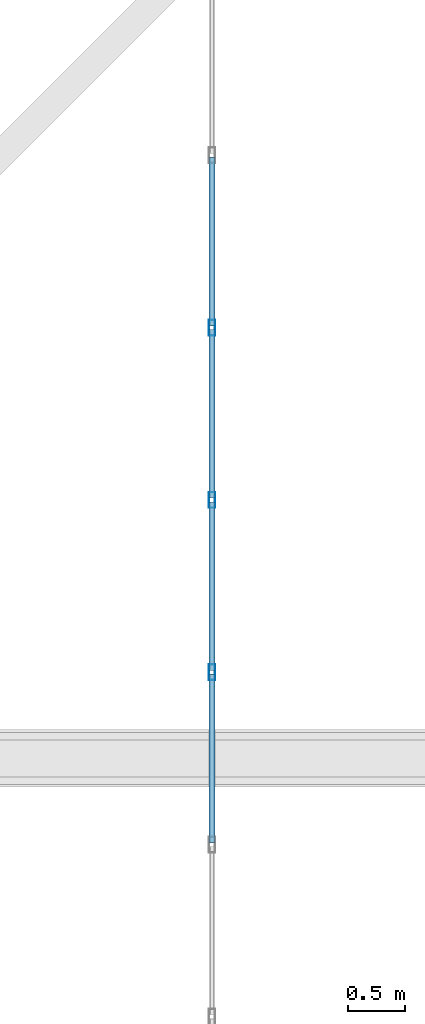
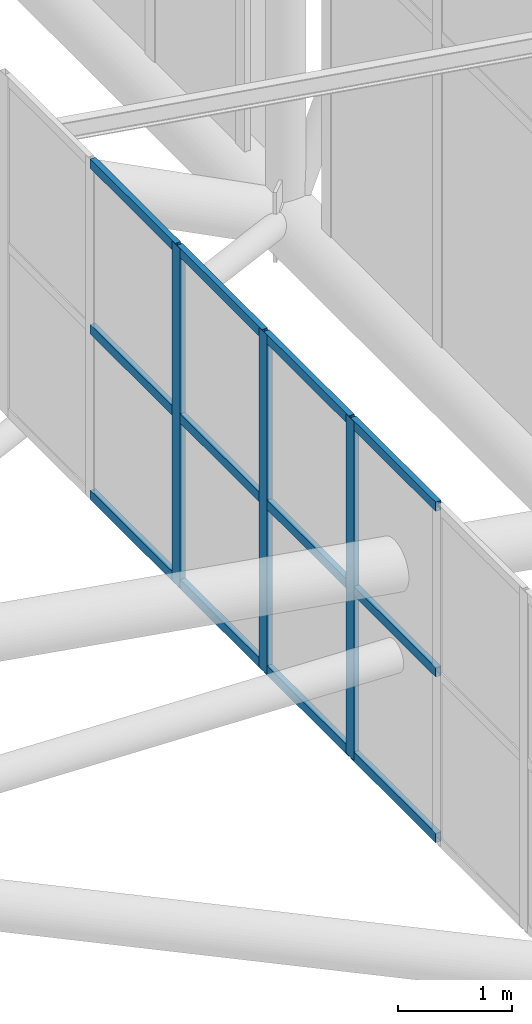
# One storey, part 150 of 397: 15 members, 1 element without a shape of its own.
"""IFC4 building model written with IfcOpenShell, lengths in metres."""

from ifc_helpers import new_model, si_unit, direction, frame, origin, origin_2d, place, context, subcontext, project, spatial, hollow_rectangle, extrude, material, material_profile, profile_set, type_object, element, aggregate, save


model = new_model("IFC4")

# Units and contexts
model_context = context("Model", 3, precision=1e-05, world=origin(), true_north=direction((0.0, 1.0)))
body_context = subcontext(model_context, "Body", "Model", "MODEL_VIEW")
ifc_project = project(units=[si_unit("LENGTHUNIT", "METRE"), si_unit("AREAUNIT", "SQUARE_METRE"), si_unit("VOLUMEUNIT", "CUBIC_METRE"), si_unit("PLANEANGLEUNIT", "RADIAN"), si_unit("MASSUNIT", "GRAM", prefix="KILO")], contexts=[model_context])

# Site, building, storey
site_placement = place(None, origin())
site = spatial("IfcSite", under=ifc_project, at=site_placement, CompositionType="ELEMENT")
building_placement = place(site_placement, origin())
building = spatial("IfcBuilding", under=site, at=building_placement, Name="Qandorah Velis Arena", CompositionType="ELEMENT")
storey_placement = place(building_placement, frame((0.0, 0.0, 27.5)))
storey = spatial("IfcBuildingStorey", under=building, at=storey_placement, Name="RF", CompositionType="ELEMENT", Elevation=27.5)

# Curtain wall, members
ifc_material_1 = material(Name="Solar-control low-E double glazing", Category="glass")
curtain_wall_type = type_object("IfcCurtainWallType", Name="ARC-CW-SYS14", PredefinedType="USERDEFINED", material=ifc_material_1)
curtain_wall_placement = place(storey_placement, origin())
curtain_wall = element("IfcCurtainWall", 1, at=curtain_wall_placement, inside=storey, type_object=curtain_wall_type, Name="Unitised curtain wall MON-2-2", ObjectType="UNITISED CURTAIN WALL", PredefinedType="USERDEFINED")
ifc_material_2 = material(Name="Champagne-bronze anodized aluminium 6063-T6", Category="aluminium")
ifc_material_profile_1 = material_profile(ifc_material_2, hollow_rectangle(XDim=0.054931640625, YDim=0.139892578125, WallThickness=0.0029296875, at=origin_2d()), Name="ALU MULLION 55x140")
ifc_profile_set_1 = profile_set([ifc_material_profile_1], Name="Champagne-bronze anodized aluminium 6063-T6")
member_type_1 = type_object("IfcMemberType", Name="ARC-CWM-140", PredefinedType="MULLION", material=ifc_profile_set_1)
member_1_placement = place(storey_placement, frame((108.0, 43.961181640625, 5.13427734375), z_axis=(0.0, 0.0, 1.0), x_axis=(-1.0, 0.0, 0.0)))
member_1 = element("IfcMember", 2, at=member_1_placement, type_object=member_type_1, Name="CW14 mullion 6", PredefinedType="MULLION", context=body_context, shape_type="SweptSolid", body=[
    extrude(hollow_rectangle(XDim=0.054931640625, YDim=0.139892578125, WallThickness=0.0029296875, at=origin_2d()), origin(), (0.0, 0.0, 1.0), 3.630126953125),
])
member_2_placement = place(storey_placement, frame((108.0, 45.4833984375, 5.13427734375), z_axis=(0.0, 0.0, 1.0), x_axis=(-1.0, 0.0, 0.0)))
member_2 = element("IfcMember", 3, at=member_2_placement, type_object=member_type_1, Name="CW14 mullion 7", PredefinedType="MULLION", context=body_context, shape_type="SweptSolid", body=[
    extrude(hollow_rectangle(XDim=0.054931640625, YDim=0.139892578125, WallThickness=0.0029296875, at=origin_2d()), origin(), (0.0, 0.0, 1.0), 3.630126953125),
])
member_3_placement = place(storey_placement, frame((108.0, 47.005615234375, 5.13427734375), z_axis=(0.0, 0.0, 1.0), x_axis=(-1.0, 0.0, 0.0)))
member_3 = element("IfcMember", 4, at=member_3_placement, type_object=member_type_1, Name="CW14 mullion 8", PredefinedType="MULLION", context=body_context, shape_type="SweptSolid", body=[
    extrude(hollow_rectangle(XDim=0.054931640625, YDim=0.139892578125, WallThickness=0.0029296875, at=origin_2d()), origin(), (0.0, 0.0, 1.0), 3.630126953125),
])
ifc_material_profile_2 = material_profile(ifc_material_2, hollow_rectangle(XDim=0.054931640625, YDim=0.10009765625, WallThickness=0.0029296875, at=origin_2d()), Name="ALU TRANSOM 55x100")
ifc_profile_set_2 = profile_set([ifc_material_profile_2], Name="Champagne-bronze anodized aluminium 6063-T6")
member_type_2 = type_object("IfcMemberType", Name="ARC-CWT-100", PredefinedType="USERDEFINED", material=ifc_profile_set_2)
member_4_placement = place(storey_placement, frame((108.0, 42.454345703125, 5.1767578125), z_axis=(0.0, 1.0, 0.0), x_axis=(-1.0, 0.0, 0.0)))
member_4 = element("IfcMember", 5, at=member_4_placement, type_object=member_type_2, Name="CW14 transom 5.1", ObjectType="TRANSOM", PredefinedType="USERDEFINED", context=body_context, shape_type="SweptSolid", body=[
    extrude(hollow_rectangle(XDim=0.054931640625, YDim=0.10009765625, WallThickness=0.0029296875, at=origin_2d()), origin(), (0.0, 0.0, 1.0), 1.4912109375),
])
member_5_placement = place(storey_placement, frame((108.0, 42.454345703125, 6.94921875), z_axis=(0.0, 1.0, 0.0), x_axis=(-1.0, 0.0, 0.0)))
member_5 = element("IfcMember", 6, at=member_5_placement, type_object=member_type_2, Name="CW14 transom 5.2", ObjectType="TRANSOM", PredefinedType="USERDEFINED", context=body_context, shape_type="SweptSolid", body=[
    extrude(hollow_rectangle(XDim=0.054931640625, YDim=0.10009765625, WallThickness=0.0029296875, at=origin_2d()), origin(), (0.0, 0.0, 1.0), 1.4912109375),
])
member_6_placement = place(storey_placement, frame((108.0, 42.454345703125, 8.7216796875), z_axis=(0.0, 1.0, 0.0), x_axis=(-1.0, 0.0, 0.0)))
member_6 = element("IfcMember", 7, at=member_6_placement, type_object=member_type_2, Name="CW14 transom 5.3", ObjectType="TRANSOM", PredefinedType="USERDEFINED", context=body_context, shape_type="SweptSolid", body=[
    extrude(hollow_rectangle(XDim=0.054931640625, YDim=0.10009765625, WallThickness=0.0029296875, at=origin_2d()), origin(), (0.0, 0.0, 1.0), 1.4912109375),
])
member_7_placement = place(storey_placement, frame((108.0, 43.9765625, 5.1767578125), z_axis=(0.0, 1.0, 0.0), x_axis=(-1.0, 0.0, 0.0)))
member_7 = element("IfcMember", 8, at=member_7_placement, type_object=member_type_2, Name="CW14 transom 6.1", ObjectType="TRANSOM", PredefinedType="USERDEFINED", context=body_context, shape_type="SweptSolid", body=[
    extrude(hollow_rectangle(XDim=0.054931640625, YDim=0.10009765625, WallThickness=0.0029296875, at=origin_2d()), origin(), (0.0, 0.0, 1.0), 1.4912109375),
])
member_8_placement = place(storey_placement, frame((108.0, 43.9765625, 6.94921875), z_axis=(0.0, 1.0, 0.0), x_axis=(-1.0, 0.0, 0.0)))
member_8 = element("IfcMember", 9, at=member_8_placement, type_object=member_type_2, Name="CW14 transom 6.2", ObjectType="TRANSOM", PredefinedType="USERDEFINED", context=body_context, shape_type="SweptSolid", body=[
    extrude(hollow_rectangle(XDim=0.054931640625, YDim=0.10009765625, WallThickness=0.0029296875, at=origin_2d()), origin(), (0.0, 0.0, 1.0), 1.4912109375),
])
member_9_placement = place(storey_placement, frame((108.0, 43.9765625, 8.7216796875), z_axis=(0.0, 1.0, 0.0), x_axis=(-1.0, 0.0, 0.0)))
member_9 = element("IfcMember", 10, at=member_9_placement, type_object=member_type_2, Name="CW14 transom 6.3", ObjectType="TRANSOM", PredefinedType="USERDEFINED", context=body_context, shape_type="SweptSolid", body=[
    extrude(hollow_rectangle(XDim=0.054931640625, YDim=0.10009765625, WallThickness=0.0029296875, at=origin_2d()), origin(), (0.0, 0.0, 1.0), 1.4912109375),
])
member_10_placement = place(storey_placement, frame((108.0, 45.498779296875, 5.1767578125), z_axis=(0.0, 1.0, 0.0), x_axis=(-1.0, 0.0, 0.0)))
member_10 = element("IfcMember", 11, at=member_10_placement, type_object=member_type_2, Name="CW14 transom 7.1", ObjectType="TRANSOM", PredefinedType="USERDEFINED", context=body_context, shape_type="SweptSolid", body=[
    extrude(hollow_rectangle(XDim=0.054931640625, YDim=0.10009765625, WallThickness=0.0029296875, at=origin_2d()), origin(), (0.0, 0.0, 1.0), 1.4912109375),
])
member_11_placement = place(storey_placement, frame((108.0, 45.498779296875, 6.94921875), z_axis=(0.0, 1.0, 0.0), x_axis=(-1.0, 0.0, 0.0)))
member_11 = element("IfcMember", 12, at=member_11_placement, type_object=member_type_2, Name="CW14 transom 7.2", ObjectType="TRANSOM", PredefinedType="USERDEFINED", context=body_context, shape_type="SweptSolid", body=[
    extrude(hollow_rectangle(XDim=0.054931640625, YDim=0.10009765625, WallThickness=0.0029296875, at=origin_2d()), origin(), (0.0, 0.0, 1.0), 1.4912109375),
])
member_12_placement = place(storey_placement, frame((108.0, 45.498779296875, 8.7216796875), z_axis=(0.0, 1.0, 0.0), x_axis=(-1.0, 0.0, 0.0)))
member_12 = element("IfcMember", 13, at=member_12_placement, type_object=member_type_2, Name="CW14 transom 7.3", ObjectType="TRANSOM", PredefinedType="USERDEFINED", context=body_context, shape_type="SweptSolid", body=[
    extrude(hollow_rectangle(XDim=0.054931640625, YDim=0.10009765625, WallThickness=0.0029296875, at=origin_2d()), origin(), (0.0, 0.0, 1.0), 1.4912109375),
])
member_13_placement = place(storey_placement, frame((108.0, 47.02099609375, 5.1767578125), z_axis=(0.0, 1.0, 0.0), x_axis=(-1.0, 0.0, 0.0)))
member_13 = element("IfcMember", 14, at=member_13_placement, type_object=member_type_2, Name="CW14 transom 8.1", ObjectType="TRANSOM", PredefinedType="USERDEFINED", context=body_context, shape_type="SweptSolid", body=[
    extrude(hollow_rectangle(XDim=0.054931640625, YDim=0.10009765625, WallThickness=0.0029296875, at=origin_2d()), origin(), (0.0, 0.0, 1.0), 1.4912109375),
])
member_14_placement = place(storey_placement, frame((108.0, 47.02099609375, 6.94921875), z_axis=(0.0, 1.0, 0.0), x_axis=(-1.0, 0.0, 0.0)))
member_14 = element("IfcMember", 15, at=member_14_placement, type_object=member_type_2, Name="CW14 transom 8.2", ObjectType="TRANSOM", PredefinedType="USERDEFINED", context=body_context, shape_type="SweptSolid", body=[
    extrude(hollow_rectangle(XDim=0.054931640625, YDim=0.10009765625, WallThickness=0.0029296875, at=origin_2d()), origin(), (0.0, 0.0, 1.0), 1.4912109375),
])
member_15_placement = place(storey_placement, frame((108.0, 47.02099609375, 8.7216796875), z_axis=(0.0, 1.0, 0.0), x_axis=(-1.0, 0.0, 0.0)))
member_15 = element("IfcMember", 16, at=member_15_placement, type_object=member_type_2, Name="CW14 transom 8.3", ObjectType="TRANSOM", PredefinedType="USERDEFINED", context=body_context, shape_type="SweptSolid", body=[
    extrude(hollow_rectangle(XDim=0.054931640625, YDim=0.10009765625, WallThickness=0.0029296875, at=origin_2d()), origin(), (0.0, 0.0, 1.0), 1.4912109375),
])
aggregate(curtain_wall, [member_1, member_2, member_3, member_4, member_5, member_6, member_7, member_8, member_9, member_10, member_11, member_12, member_13, member_14, member_15])

save(model, "model.ifc")
